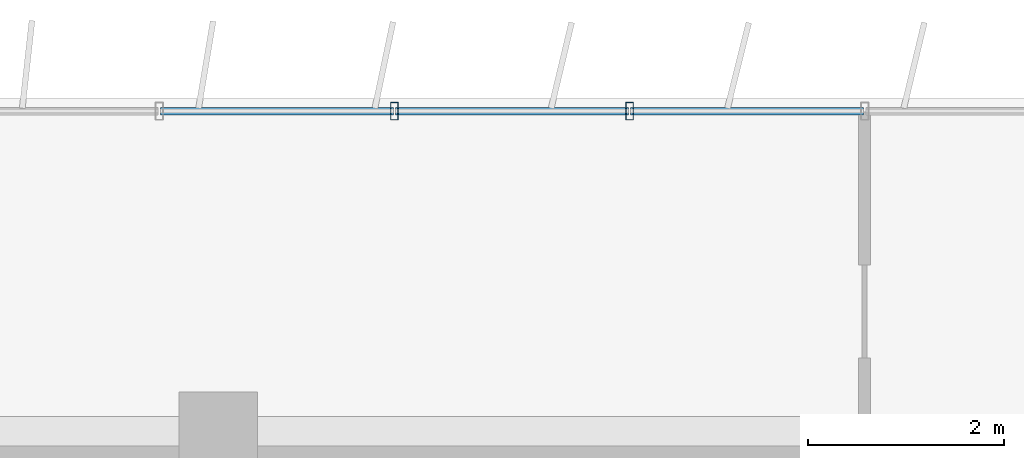
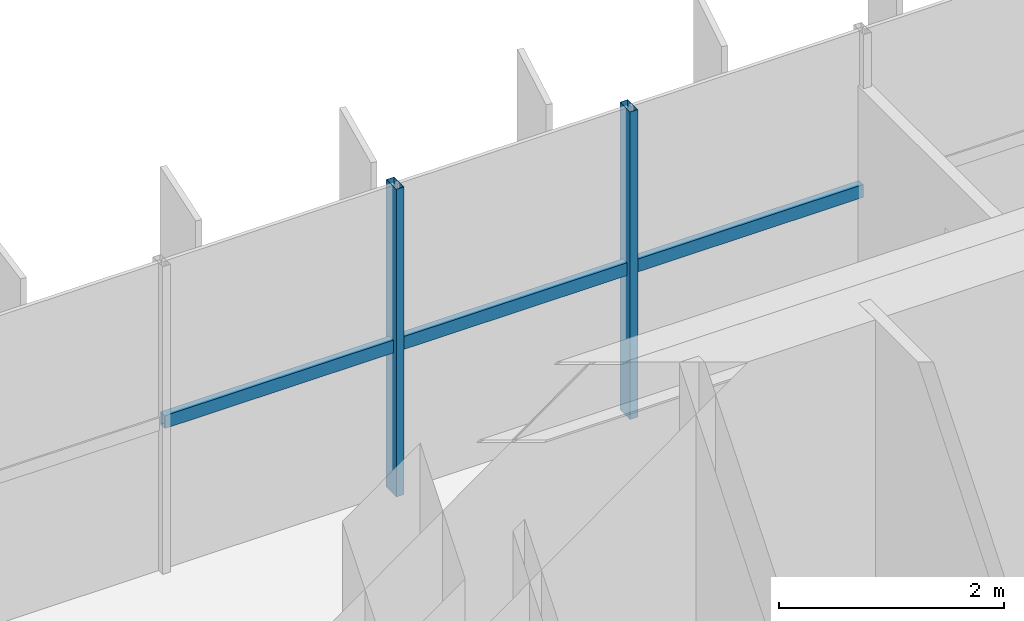
# One storey, part 7 of 21: 5 members, 1 element without a shape of its own.
"""IFC4 building model written with IfcOpenShell, lengths in metres."""

from ifc_helpers import new_model, si_unit, direction, frame, origin, origin_2d, place, context, subcontext, project, spatial, hollow_rectangle, extrude, source, transform, mapped, material, material_profile, profile_set, type_object, element, aggregate, save


model = new_model("IFC4")

# Units and contexts
model_context = context("Model", 3, precision=1e-05, world=origin(), true_north=direction((0.0, 1.0)))
body_context = subcontext(model_context, "Body", "Model", "MODEL_VIEW")
ifc_project = project(units=[si_unit("LENGTHUNIT", "METRE"), si_unit("AREAUNIT", "SQUARE_METRE"), si_unit("VOLUMEUNIT", "CUBIC_METRE"), si_unit("PLANEANGLEUNIT", "RADIAN"), si_unit("MASSUNIT", "GRAM", prefix="KILO")], contexts=[model_context])

# Site, building, storey
site_placement = place(None, origin())
site = spatial("IfcSite", under=ifc_project, at=site_placement, CompositionType="ELEMENT")
building_placement = place(site_placement, origin())
building = spatial("IfcBuilding", under=site, at=building_placement, Name="Trelvane Seafront Commons", CompositionType="ELEMENT")
storey_placement = place(building_placement, frame((0.0, 0.0, 106.89990234375)))
storey = spatial("IfcBuildingStorey", under=building, at=storey_placement, Name="L27", CompositionType="ELEMENT", Elevation=106.89990234375)

# Curtain wall, members
ifc_material = material(Name="Anodised pale-silver aluminium", Category="aluminium")
curtain_wall_type = type_object("IfcCurtainWallType", Name="ARCH-CW4-SKYLOBBY", PredefinedType="NOTDEFINED", material=ifc_material)
curtain_wall_placement = place(storey_placement, origin())
curtain_wall = element("IfcCurtainWall", 1, at=curtain_wall_placement, inside=storey, type_object=curtain_wall_type, Name="CW-L27-0052", PredefinedType="NOTDEFINED")
ifc_material_profile_1 = material_profile(ifc_material, hollow_rectangle(XDim=0.074951171875, YDim=0.139892578125, WallThickness=0.00390625, at=origin_2d()), Name="TRAN-75x140x4")
ifc_profile_set_1 = profile_set([ifc_material_profile_1], Name="Anodised pale-silver aluminium")
member_type_1 = type_object("IfcMemberType", Name="ARCH-CW-TRAN-140", PredefinedType="USERDEFINED", material=ifc_profile_set_1)
shared_shape_1 = source(origin(), body_context, "Body", "SweptSolid", [
    extrude(hollow_rectangle(XDim=0.074951171875, YDim=0.139892578125, WallThickness=0.00390625, at=origin_2d()), origin(), (0.0, 0.0, 1.0), 2.3759765625),
])
member_1_placement = place(storey_placement, frame((30.011962890625, 48.3701171875, 1.60302734375), z_axis=(1.0, 0.0, 0.0), x_axis=(0.0, 1.0, 0.0)))
member_1 = element("IfcMember", 2, at=member_1_placement, type_object=member_type_1, Name="CW-L27-0052-T06", ObjectType="TRANSOM", PredefinedType="USERDEFINED", context=body_context, shape_type="MappedRepresentation", body=[
    mapped(shared_shape_1, transform((0.0, 0.0, 0.0), x_axis=(1.0, 0.0, 0.0), y_axis=(0.0, 1.0, 0.0), z_axis=(0.0, 0.0, 1.0), scale=1.0)),
])
member_2_placement = place(storey_placement, frame((32.412109375, 48.3701171875, 1.60302734375), z_axis=(1.0, 0.0, 0.0), x_axis=(0.0, 1.0, 0.0)))
member_2 = element("IfcMember", 3, at=member_2_placement, type_object=member_type_1, Name="CW-L27-0052-T07", ObjectType="TRANSOM", PredefinedType="USERDEFINED", context=body_context, shape_type="MappedRepresentation", body=[
    mapped(shared_shape_1, transform((0.0, 0.0, 0.0), x_axis=(1.0, 0.0, 0.0), y_axis=(0.0, 1.0, 0.0), z_axis=(0.0, 0.0, 1.0), scale=1.0)),
])
member_3_placement = place(storey_placement, frame((34.81201171875, 48.3701171875, 1.60302734375), z_axis=(1.0, 0.0, 0.0), x_axis=(0.0, 1.0, 0.0)))
member_3 = element("IfcMember", 4, at=member_3_placement, type_object=member_type_1, Name="CW-L27-0052-T08", ObjectType="TRANSOM", PredefinedType="USERDEFINED", context=body_context, shape_type="MappedRepresentation", body=[
    mapped(shared_shape_1, transform((0.0, 0.0, 0.0), x_axis=(1.0, 0.0, 0.0), y_axis=(0.0, 1.0, 0.0), z_axis=(0.0, 0.0, 1.0), scale=1.0)),
])
ifc_material_profile_2 = material_profile(ifc_material, hollow_rectangle(XDim=0.080078125, YDim=0.179931640625, WallThickness=0.00439453125, at=origin_2d()), Name="MULL-80x180x4.5")
ifc_profile_set_2 = profile_set([ifc_material_profile_2], Name="Anodised pale-silver aluminium")
member_type_2 = type_object("IfcMemberType", Name="ARCH-CW-MULL-180", PredefinedType="MULLION", material=ifc_profile_set_2)
shared_shape_2 = source(origin(), body_context, "Body", "SweptSolid", [
    extrude(hollow_rectangle(XDim=0.080078125, YDim=0.179931640625, WallThickness=0.00439453125, at=origin_2d()), origin(), (0.0, 0.0, 1.0), 3.340087890625),
])
member_4_placement = place(storey_placement, frame((32.39990234375, 48.3701171875, 0.0), z_axis=(0.0, 0.0, 1.0), x_axis=(1.0, 0.0, 0.0)))
member_4 = element("IfcMember", 5, at=member_4_placement, type_object=member_type_2, Name="CW-L27-0052-M07", PredefinedType="MULLION", context=body_context, shape_type="MappedRepresentation", body=[
    mapped(shared_shape_2, transform((0.0, 0.0, 0.0), x_axis=(1.0, 0.0, 0.0), y_axis=(0.0, 1.0, 0.0), z_axis=(0.0, 0.0, 1.0), scale=1.0)),
])
member_5_placement = place(storey_placement, frame((34.800048828125, 48.3701171875, 0.0), z_axis=(0.0, 0.0, 1.0), x_axis=(1.0, 0.0, 0.0)))
member_5 = element("IfcMember", 6, at=member_5_placement, type_object=member_type_2, Name="CW-L27-0052-M08", PredefinedType="MULLION", context=body_context, shape_type="MappedRepresentation", body=[
    mapped(shared_shape_2, transform((0.0, 0.0, 0.0), x_axis=(1.0, 0.0, 0.0), y_axis=(0.0, 1.0, 0.0), z_axis=(0.0, 0.0, 1.0), scale=1.0)),
])
aggregate(curtain_wall, [member_4, member_5, member_1, member_2, member_3])

save(model, "model.ifc")
